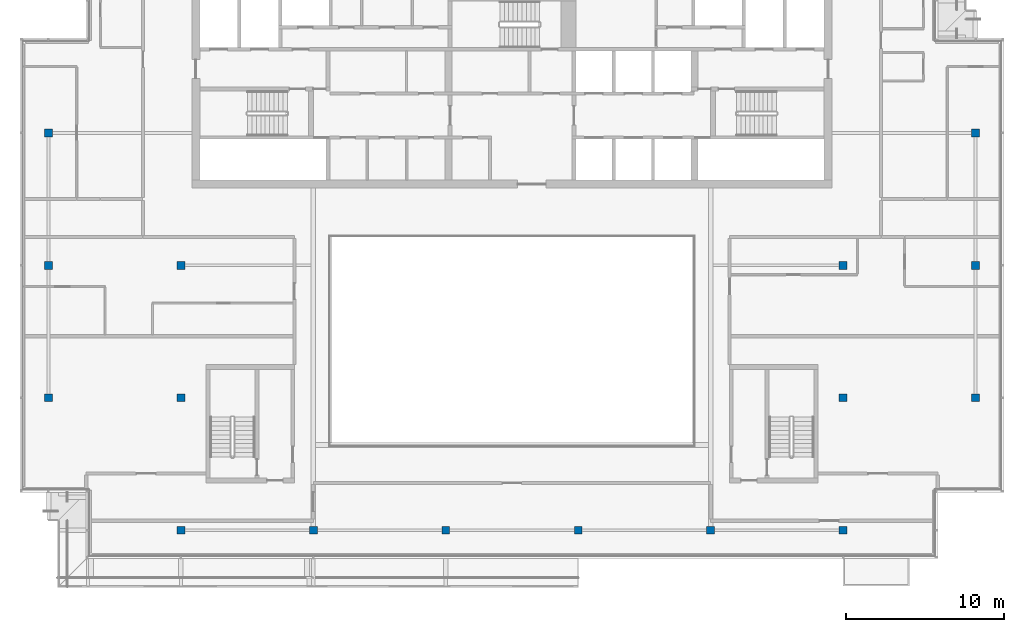
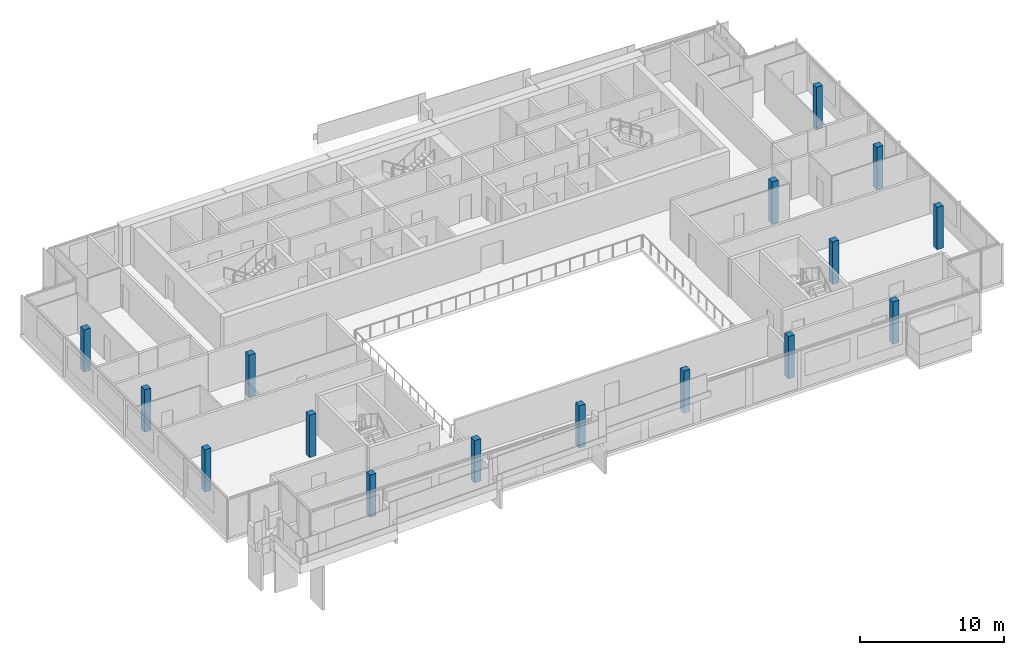
# One storey, part 1 of 22: 16 columns.
"""IFC4 building model written with IfcOpenShell, lengths in metres."""

from ifc_helpers import new_model, si_unit, direction, frame, origin, origin_2d, place, context, subcontext, project, spatial, rectangle, extrude, material, material_profile, profile_set, type_object, element, save


model = new_model("IFC4")

# Units and contexts
model_context = context("Model", 3, precision=1e-05, world=origin(), true_north=direction((0.0, 1.0)))
body_context = subcontext(model_context, "Body", "Model", "MODEL_VIEW")
ifc_project = project(units=[si_unit("LENGTHUNIT", "METRE"), si_unit("AREAUNIT", "SQUARE_METRE"), si_unit("VOLUMEUNIT", "CUBIC_METRE"), si_unit("PLANEANGLEUNIT", "RADIAN"), si_unit("MASSUNIT", "GRAM", prefix="KILO")], contexts=[model_context])

# Site, building, storey
site_placement = place(None, origin())
site = spatial("IfcSite", under=ifc_project, at=site_placement, CompositionType="ELEMENT")
building_placement = place(site_placement, origin())
building = spatial("IfcBuilding", under=site, at=building_placement, Name="Saffron Gate Tower", CompositionType="ELEMENT")
storey_placement = place(building_placement, frame((0.0, 0.0, 295.949951171875)))
storey = spatial("IfcBuildingStorey", under=building, at=storey_placement, Name="L72", CompositionType="ELEMENT", Elevation=295.949951171875)

# Columns
ifc_material = material(Name="Concrete C40", Category="concrete")
ifc_material_profile = material_profile(ifc_material, rectangle(XDim=0.5, YDim=0.5, at=origin_2d()))
ifc_profile_set = profile_set([ifc_material_profile], Name="Concrete C40")
column_type = type_object("IfcColumnType", Name="C1 RC 500x500 CONCRETE C40", PredefinedType="COLUMN", material=ifc_profile_set)
for number, where, z_axis, x_axis, name in (
    (1, (58.199951171875, 48.60009765625, 0.0), (0.0, 0.0, 1.0), (1.0, 0.0, 0.0), "C1 COLUMN X2-C"),
    (2, (58.199951171875, 57.0, 0.0), (0.0, 0.0, 1.0), (1.0, 0.0, 0.0), "C1 COLUMN X2-D"),
    (3, (58.199951171875, 65.39990234375, 0.0), (0.0, 0.0, 1.0), (1.0, 0.0, 0.0), "C1 COLUMN X2-E"),
    (4, (66.60009765625, 40.199951171875, 0.0), (0.0, 0.0, 1.0), (1.0, 0.0, 0.0), "C1 COLUMN X3-B"),
    (5, (66.60009765625, 48.60009765625, 0.0), (0.0, 0.0, 1.0), (1.0, 0.0, 0.0), "C1 COLUMN X3-C"),
    (6, (66.60009765625, 57.0, 0.0), (0.0, 0.0, 1.0), (1.0, 0.0, 0.0), "C1 COLUMN X3-D"),
    (7, (75.0, 40.199951171875, 0.0), (0.0, 0.0, 1.0), (1.0, 0.0, 0.0), "C1 COLUMN X4-B"),
    (8, (83.39990234375, 40.199951171875, 0.0), (0.0, 0.0, 1.0), (1.0, 0.0, 0.0), "C1 COLUMN X5-B"),
    (9, (91.800048828125, 40.199951171875, 0.0), (0.0, 0.0, 1.0), (1.0, 0.0, 0.0), "C1 COLUMN X6-B"),
    (10, (100.199951171875, 40.199951171875, 0.0), (0.0, 0.0, 1.0), (1.0, 0.0, 0.0), "C1 COLUMN X7-B"),
    (11, (108.60009765625, 40.199951171875, 0.0), (0.0, 0.0, 1.0), (1.0, 0.0, 0.0), "C1 COLUMN X8-B"),
    (12, (108.60009765625, 48.60009765625, 0.0), (0.0, 0.0, 1.0), (1.0, 0.0, 0.0), "C1 COLUMN X8-C"),
    (13, (108.60009765625, 57.0, 0.0), (0.0, 0.0, 1.0), (1.0, 0.0, 0.0), "C1 COLUMN X8-D"),
    (14, (117.0, 48.60009765625, 0.0), (0.0, 0.0, 1.0), (1.0, 0.0, 0.0), "C1 COLUMN X9-C"),
    (15, (117.0, 57.0, 0.0), (0.0, 0.0, 1.0), (1.0, 0.0, 0.0), "C1 COLUMN X9-D"),
    (16, (117.0, 65.39990234375, 0.0), (0.0, 0.0, 1.0), (1.0, 0.0, 0.0), "C1 COLUMN X9-E"),
):
    element("IfcColumn", number, at=place(storey_placement, frame(where, z_axis=z_axis, x_axis=x_axis)), inside=storey, type_object=column_type, Name=name, PredefinedType="COLUMN", context=body_context, shape_type="SweptSolid", body=[
        extrude(rectangle(XDim=0.5, YDim=0.5, at=origin_2d()), origin(), (0.0, 0.0, 1.0), 3.60009765625),
    ])

save(model, "model.ifc")
